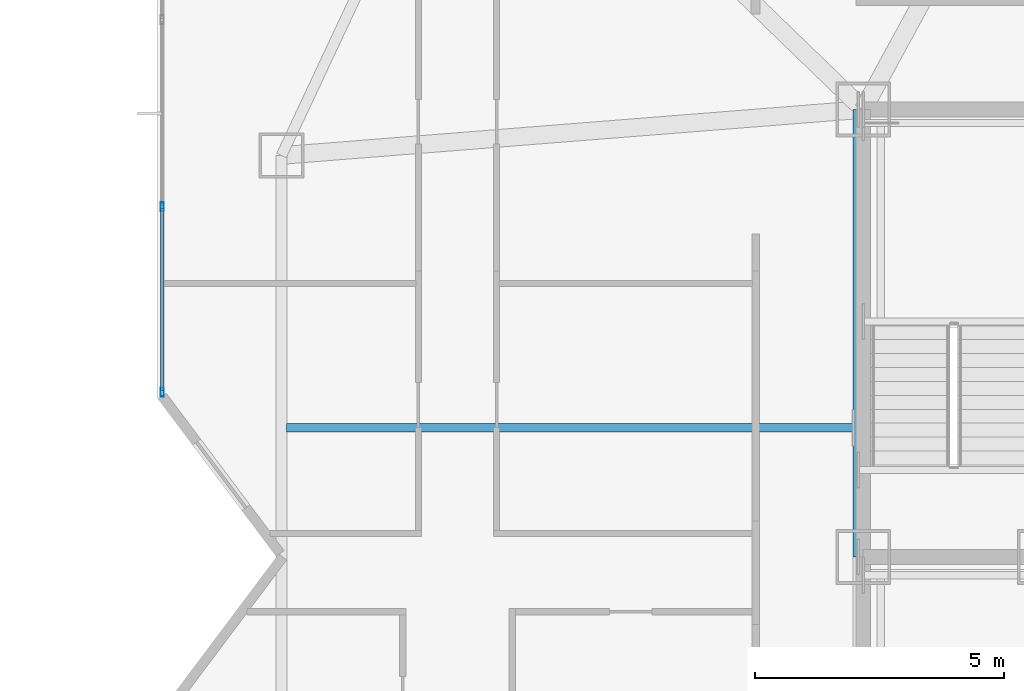
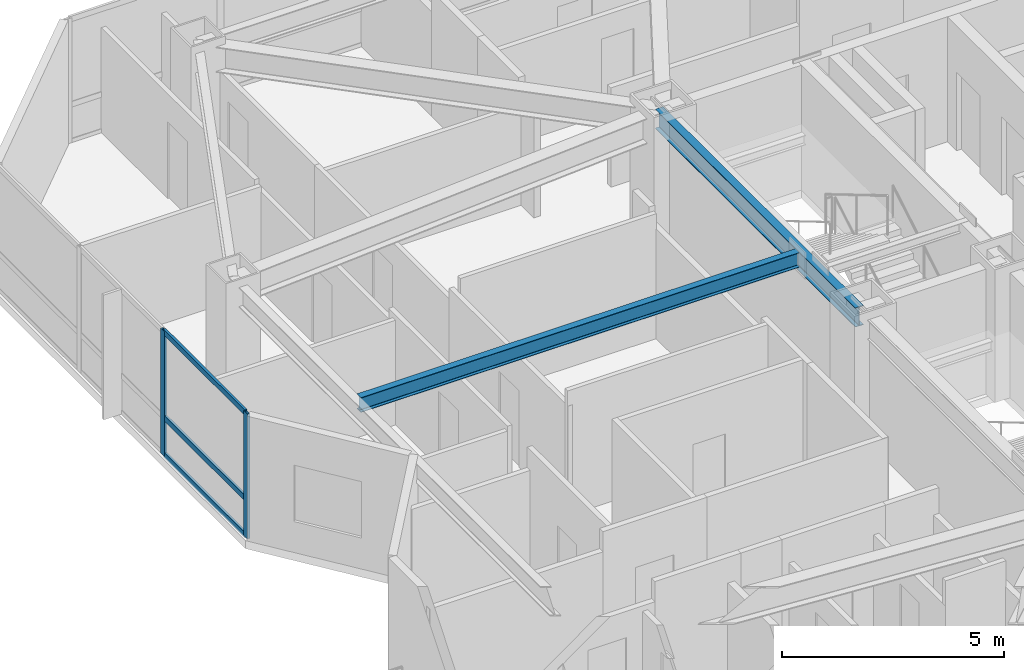
# One storey, part 2 of 21: 5 members, 2 beams, 1 element without a shape of its own.
"""IFC4 building model written with IfcOpenShell, lengths in metres."""

from ifc_helpers import new_model, si_unit, direction, frame, origin, origin_2d, place, context, subcontext, project, spatial, hollow_rectangle, i_section, extrude, material, material_profile, profile_set, type_object, element, aggregate, save


model = new_model("IFC4")

# Units and contexts
model_context = context("Model", 3, precision=1e-05, world=origin(), true_north=direction((0.0, 1.0)))
body_context = subcontext(model_context, "Body", "Model", "MODEL_VIEW")
ifc_project = project(units=[si_unit("LENGTHUNIT", "METRE"), si_unit("AREAUNIT", "SQUARE_METRE"), si_unit("VOLUMEUNIT", "CUBIC_METRE"), si_unit("PLANEANGLEUNIT", "RADIAN"), si_unit("MASSUNIT", "GRAM", prefix="KILO")], contexts=[model_context])

# Site, building, storey
site_placement = place(None, origin())
site = spatial("IfcSite", under=ifc_project, at=site_placement, CompositionType="ELEMENT")
building_placement = place(site_placement, origin())
building = spatial("IfcBuilding", under=site, at=building_placement, Name="Khamvora Tower", CompositionType="ELEMENT")
storey_placement = place(building_placement, frame((0.0, 0.0, 159.550048828125)))
storey = spatial("IfcBuildingStorey", under=building, at=storey_placement, Name="L40", CompositionType="ELEMENT", Elevation=159.550048828125)

# Beams
ifc_material_1 = material(Name="Steel S355", Category="steel")
ifc_material_profile_1 = material_profile(ifc_material_1, i_section(OverallWidth=0.177978515625, OverallDepth=0.406982421875, WebThickness=0.008056640625, FlangeThickness=0.012939453125, FilletRadius=0.010009765625, at=origin_2d()), Name="W410x60")
ifc_profile_set_1 = profile_set([ifc_material_profile_1], Name="Steel S355")
beam_type_1 = type_object("IfcBeamType", Name="BM-JS-W410x60", PredefinedType="JOIST", material=ifc_profile_set_1)
beam_1_placement = place(storey_placement, frame((17.40087890625, 30.60009765625, 3.225830078125), z_axis=(1.0, 0.0, 0.0), x_axis=(0.0, 1.0, 0.0)))
element("IfcBeam", 1, at=beam_1_placement, inside=storey, type_object=beam_type_1, Name="L40 secondary floor joist 04", PredefinedType="JOIST", context=body_context, shape_type="SweptSolid", body=[
    extrude(i_section(OverallWidth=0.177978515625, OverallDepth=0.406982421875, WebThickness=0.008056640625, FlangeThickness=0.012939453125, FilletRadius=0.010009765625, at=origin_2d()), origin(), (0.0, 0.0, 1.0), 11.399169921875),
])
ifc_material_profile_2 = material_profile(ifc_material_1, i_section(OverallWidth=0.208984375, OverallDepth=0.532958984375, WebThickness=0.010009765625, FlangeThickness=0.01611328125, FilletRadius=0.013916015625, at=origin_2d()), Name="W530x92")
ifc_profile_set_2 = profile_set([ifc_material_profile_2], Name="Steel S355")
beam_type_2 = type_object("IfcBeamType", Name="BM-SP-W530x92", PredefinedType="SPANDREL", material=ifc_profile_set_2)
beam_2_placement = place(storey_placement, frame((28.89990234375, 28.0, 3.162841796875), z_axis=(0.0, 1.0, 0.0), x_axis=(-1.0, 0.0, 0.0)))
element("IfcBeam", 2, at=beam_2_placement, inside=storey, type_object=beam_type_2, Name="L40 core spine girder WN", PredefinedType="SPANDREL", context=body_context, shape_type="SweptSolid", body=[
    extrude(i_section(OverallWidth=0.208984375, OverallDepth=0.532958984375, WebThickness=0.010009765625, FlangeThickness=0.01611328125, FilletRadius=0.013916015625, at=origin_2d()), origin(), (0.0, 0.0, 1.0), 9.0),
])

# Curtain wall, members
ifc_material_2 = material(Name="Anodised Aluminium 6063-T6", Category="aluminium")
curtain_wall_type = type_object("IfcCurtainWallType", Name="CW-SYS-04", PredefinedType="NOTDEFINED", material=ifc_material_2)
curtain_wall_placement = place(storey_placement, origin())
curtain_wall = element("IfcCurtainWall", 3, at=curtain_wall_placement, inside=storey, type_object=curtain_wall_type, Name="L40 stick curtain wall 05.1", PredefinedType="NOTDEFINED")
ifc_material_profile_3 = material_profile(ifc_material_2, hollow_rectangle(XDim=0.06494140625, YDim=0.179931640625, WallThickness=0.0048828125, at=origin_2d()), Name="MUL65x180x5")
ifc_profile_set_3 = profile_set([ifc_material_profile_3], Name="Anodised Aluminium 6063-T6")
member_type_1 = type_object("IfcMemberType", Name="CW-SYS-04-MUL", PredefinedType="MULLION", material=ifc_profile_set_3)
member_1_placement = place(storey_placement, frame((14.89990234375, 31.31640625, 0.0), z_axis=(0.0, 0.0, 1.0), x_axis=(-1.0, 0.0, 0.0)))
member_1 = element("IfcMember", 4, at=member_1_placement, type_object=member_type_1, Name="CW-04 mullion 1", PredefinedType="MULLION", context=body_context, shape_type="SweptSolid", body=[
    extrude(hollow_rectangle(XDim=0.06494140625, YDim=0.179931640625, WallThickness=0.0048828125, at=origin_2d()), origin(), (0.0, 0.0, 1.0), 3.429931640625),
])
member_2_placement = place(storey_placement, frame((14.89990234375, 35.042236328125, 0.0), z_axis=(0.0, 0.0, 1.0), x_axis=(-1.0, 0.0, 0.0)))
member_2 = element("IfcMember", 5, at=member_2_placement, type_object=member_type_1, Name="CW-04 mullion 2", PredefinedType="MULLION", context=body_context, shape_type="SweptSolid", body=[
    extrude(hollow_rectangle(XDim=0.06494140625, YDim=0.179931640625, WallThickness=0.0048828125, at=origin_2d()), origin(), (0.0, 0.0, 1.0), 3.429931640625),
])
ifc_material_profile_4 = material_profile(ifc_material_2, hollow_rectangle(XDim=0.06494140625, YDim=0.14990234375, WallThickness=0.0048828125, at=origin_2d()), Name="TRN65x150x5")
ifc_profile_set_4 = profile_set([ifc_material_profile_4], Name="Anodised Aluminium 6063-T6")
member_type_2 = type_object("IfcMemberType", Name="CW-SYS-04-TRN", PredefinedType="USERDEFINED", material=ifc_profile_set_4)
member_3_placement = place(storey_placement, frame((14.89990234375, 31.34912109375, 0.032470703125), z_axis=(0.0, 1.0, 0.0), x_axis=(-1.0, 0.0, 0.0)))
member_3 = element("IfcMember", 6, at=member_3_placement, type_object=member_type_2, Name="CW-04 transom 1.1", ObjectType="TRANSOM", PredefinedType="USERDEFINED", context=body_context, shape_type="SweptSolid", body=[
    extrude(hollow_rectangle(XDim=0.06494140625, YDim=0.14990234375, WallThickness=0.0048828125, at=origin_2d()), origin(), (0.0, 0.0, 1.0), 3.66064453125),
])
member_4_placement = place(storey_placement, frame((14.89990234375, 31.34912109375, 1.050048828125), z_axis=(0.0, 1.0, 0.0), x_axis=(-1.0, 0.0, 0.0)))
member_4 = element("IfcMember", 7, at=member_4_placement, type_object=member_type_2, Name="CW-04 transom 1.2", ObjectType="TRANSOM", PredefinedType="USERDEFINED", context=body_context, shape_type="SweptSolid", body=[
    extrude(hollow_rectangle(XDim=0.06494140625, YDim=0.14990234375, WallThickness=0.0048828125, at=origin_2d()), origin(), (0.0, 0.0, 1.0), 3.66064453125),
])
member_5_placement = place(storey_placement, frame((14.89990234375, 31.34912109375, 3.3974609375), z_axis=(0.0, 1.0, 0.0), x_axis=(-1.0, 0.0, 0.0)))
member_5 = element("IfcMember", 8, at=member_5_placement, type_object=member_type_2, Name="CW-04 transom 1.3", ObjectType="TRANSOM", PredefinedType="USERDEFINED", context=body_context, shape_type="SweptSolid", body=[
    extrude(hollow_rectangle(XDim=0.06494140625, YDim=0.14990234375, WallThickness=0.0048828125, at=origin_2d()), origin(), (0.0, 0.0, 1.0), 3.66064453125),
])
aggregate(curtain_wall, [member_1, member_2, member_3, member_4, member_5])

save(model, "model.ifc")
